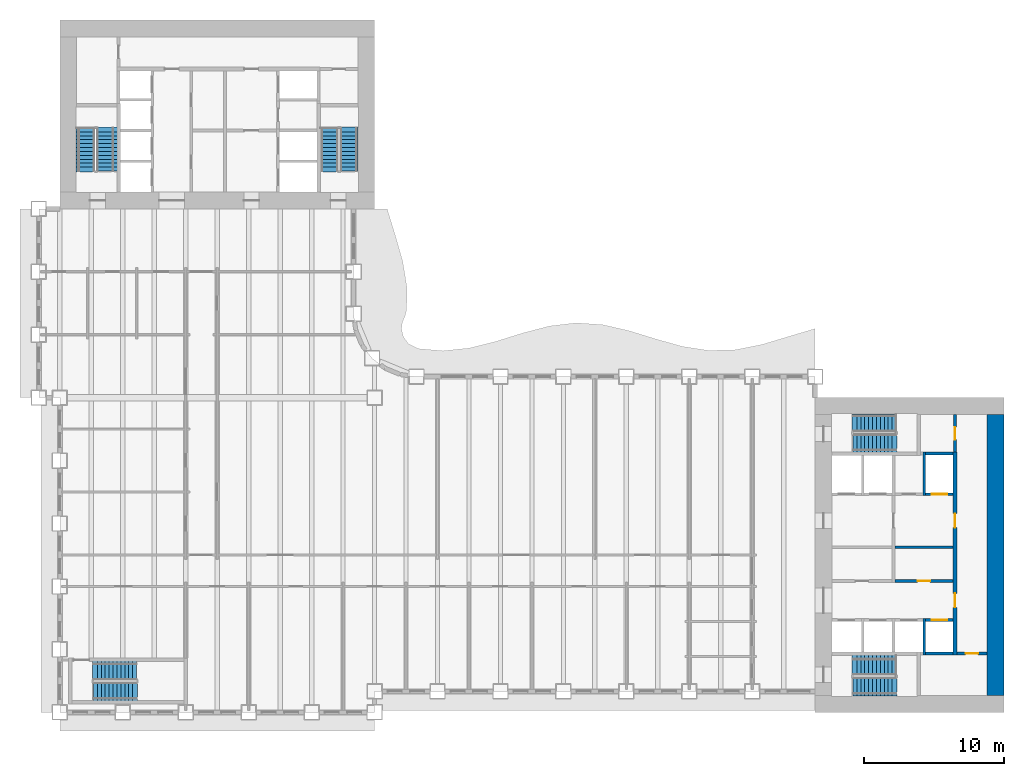
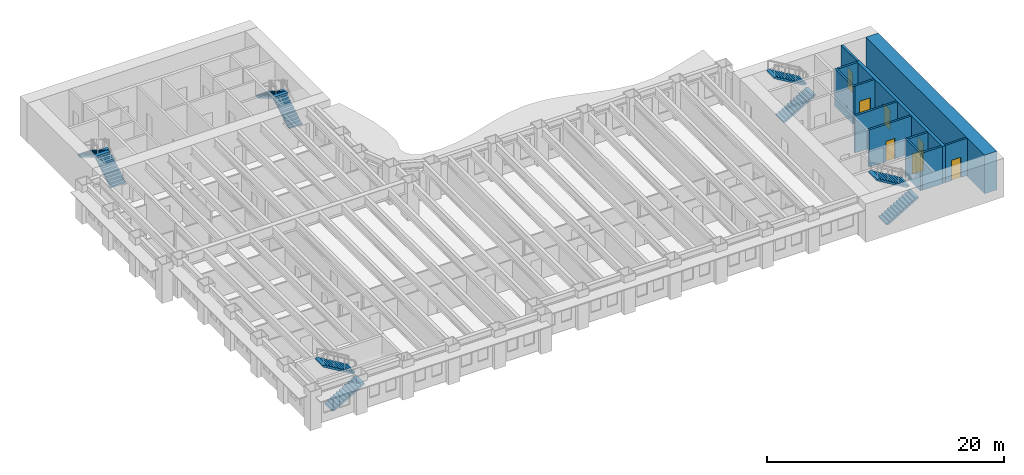
# One storey, part 9 of 15: 12 walls, 10 stair flights, 7 doors, 7 openings, 5 elements without a shape of their own.
"""IFC4 building model written with IfcOpenShell, lengths in metres."""

from ifc_helpers import new_model, si_unit, direction, frame, frame_2d, origin, place, context, subcontext, project, spatial, polyline, rectangle, outline, extrude, material, layer, layer_set, type_object, element, fill, aggregate, save


model = new_model("IFC4")

# Units and contexts
model_context = context("Model", 3, precision=1e-05, world=origin(), true_north=direction((0.0, 1.0)))
body_context = subcontext(model_context, "Body", "Model", "MODEL_VIEW")
ifc_project = project(units=[si_unit("LENGTHUNIT", "METRE"), si_unit("AREAUNIT", "SQUARE_METRE"), si_unit("VOLUMEUNIT", "CUBIC_METRE"), si_unit("PLANEANGLEUNIT", "RADIAN"), si_unit("MASSUNIT", "GRAM", prefix="KILO")], contexts=[model_context])

# Site, building, storey
site_placement = place(None, origin())
site = spatial("IfcSite", under=ifc_project, at=site_placement, CompositionType="ELEMENT")
building_placement = place(site_placement, origin())
building = spatial("IfcBuilding", under=site, at=building_placement, Name="Sennacour Bend Tower", CompositionType="ELEMENT")
storey_placement = place(building_placement, frame((0.0, 0.0, 37.0)))
storey = spatial("IfcBuildingStorey", under=building, at=storey_placement, Name="L07", CompositionType="ELEMENT", Elevation=37.0)

# Wall
ifc_material_1 = material(Name="Concrete C80/95", Category="concrete")
ifc_layer_1 = layer(ifc_material_1, 1.199951171875, Name="Concrete C80/95", Category="concrete")
ifc_layer_set_1 = layer_set([ifc_layer_1], Name="Concrete C80/95")
wall_type_1 = type_object("IfcWallType", Name="Core wall 1200 C80/95", PredefinedType="SHEAR", material=ifc_layer_set_1)
wall_1_placement = place(storey_placement, frame((66.89990234375, 1.199951171875, -0.14990234375), z_axis=(0.0, 0.0, 1.0), x_axis=(0.0, 1.0, 0.0)))
element("IfcWall", 1, at=wall_1_placement, inside=storey, type_object=wall_type_1, Name="Core A wall L07 E", PredefinedType="SHEAR", context=body_context, shape_type="SweptSolid", body=[
    extrude(rectangle(XDim=20.10009765625, YDim=1.199951171875, at=frame_2d((10.050048828125, 0.0))), origin(), (0.0, 0.0, 1.0), 4.0),
])

# Wall, opening, door
ifc_material_2 = material(Name="Fire-rated plasterboard partition on steel studs", Category="steel")
ifc_layer_2 = layer(ifc_material_2, 0.199951171875, Name="Fire-rated plasterboard partition on steel studs", Category="steel")
ifc_layer_set_2 = layer_set([ifc_layer_2], Name="Fire-rated plasterboard partition on steel studs")
wall_type_2 = type_object("IfcWallType", Name="Rated partition 200", PredefinedType="PARTITIONING", material=ifc_layer_set_2)
wall_2_placement = place(storey_placement, frame((64.0, 18.60009765625, 0.0), z_axis=(0.0, 0.0, 1.0), x_axis=(0.0, 1.0, 0.0)))
wall_2 = element("IfcWall", 2, at=wall_2_placement, inside=storey, type_object=wall_type_2, Name="P-L07-W046", PredefinedType="PARTITIONING", context=body_context, shape_type="SweptSolid", body=[
    extrude(rectangle(XDim=2.699951171875, YDim=0.199951171875, at=frame_2d((1.35009765625, 0.0))), origin(), (0.0, 0.0, 1.0), 3.85009765625),
])
opening_1_placement = place(wall_2_placement, frame((0.89990234375, 0.0, 0.0)))
opening_1 = element("IfcOpeningElement", 3, at=opening_1_placement, cuts=wall_2, Name="Opening SV", PredefinedType="OPENING", context=body_context, shape_type="SweptSolid", body=[
    extrude(rectangle(XDim=0.89990234375, YDim=2.10009765625, at=frame_2d((0.449951171875, 1.050048828125))), frame((0.0, 0.10986328125, 0.0), z_axis=(0.0, -1.0, 0.0), x_axis=(1.0, 0.0, 0.0)), (0.0, 0.0, 1.0), 0.219970703125),
])
ifc_material_3 = material(Name="Painted steel", Category="steel")
door_type_1 = type_object("IfcDoorType", Name="DR-SERVICE-900", OperationType="NOTDEFINED", PredefinedType="DOOR", material=ifc_material_3)
door_1_placement = place(opening_1_placement, origin())
door_1 = element("IfcDoor", 4, at=door_1_placement, inside=storey, type_object=door_type_1, Name="Door", OperationType="SINGLE_SWING_LEFT", OverallHeight=2.10009765625, OverallWidth=0.89990234375, PredefinedType="DOOR", context=body_context, shape_type="SweptSolid", body=[
    extrude(rectangle(XDim=0.89990234375, YDim=2.10009765625, at=frame_2d((0.449951171875, 1.050048828125))), frame((0.0, 0.02490234375, 0.0), z_axis=(0.0, -1.0, 0.0), x_axis=(1.0, 0.0, 0.0)), (0.0, 0.0, 1.0), 0.050048828125),
])
fill(opening_1, door_1)

wall_3_placement = place(storey_placement, frame((64.14990234375, 4.199951171875, 0.0), z_axis=(0.0, 0.0, 1.0), x_axis=(1.0, 0.0, 0.0)))
wall_3 = element("IfcWall", 5, at=wall_3_placement, inside=storey, type_object=wall_type_2, Name="P-L07-W055", PredefinedType="PARTITIONING", context=body_context, shape_type="SweptSolid", body=[
    extrude(rectangle(XDim=2.150146484375, YDim=0.199951171875, at=frame_2d((1.0751953125, 0.0))), origin(), (0.0, 0.0, 1.0), 3.85009765625),
])
opening_2_placement = place(wall_3_placement, frame((0.60009765625, 0.0, 0.0)))
opening_2 = element("IfcOpeningElement", 6, at=opening_2_placement, cuts=wall_3, Name="Opening SV", PredefinedType="OPENING", context=body_context, shape_type="SweptSolid", body=[
    extrude(rectangle(XDim=0.89990234375, YDim=2.10009765625, at=frame_2d((0.449951171875, 1.050048828125))), frame((0.0, 0.10986328125, 0.0), z_axis=(0.0, -1.0, 0.0), x_axis=(1.0, 0.0, 0.0)), (0.0, 0.0, 1.0), 0.219970703125),
])
door_2_placement = place(opening_2_placement, origin())
door_2 = element("IfcDoor", 7, at=door_2_placement, inside=storey, type_object=door_type_1, Name="Door", OperationType="SINGLE_SWING_LEFT", OverallHeight=2.10009765625, OverallWidth=0.89990234375, PredefinedType="DOOR", context=body_context, shape_type="SweptSolid", body=[
    extrude(rectangle(XDim=0.89990234375, YDim=2.10009765625, at=frame_2d((0.449951171875, 1.050048828125))), frame((0.0, 0.02490234375, 0.0), z_axis=(0.0, -1.0, 0.0), x_axis=(1.0, 0.0, 0.0)), (0.0, 0.0, 1.0), 0.050048828125),
])
fill(opening_2, door_2)

wall_4_placement = place(storey_placement, frame((59.699951171875, 9.39990234375, 0.0), z_axis=(0.0, 0.0, 1.0), x_axis=(1.0, 0.0, 0.0)))
wall_4 = element("IfcWall", 8, at=wall_4_placement, inside=storey, type_object=wall_type_2, Name="P-L07-W059b", PredefinedType="PARTITIONING", context=body_context, shape_type="SweptSolid", body=[
    extrude(rectangle(XDim=4.150146484375, YDim=0.199951171875, at=frame_2d((2.0751953125, 0.0))), origin(), (0.0, 0.0, 1.0), 3.85009765625),
])
opening_3_placement = place(wall_4_placement, frame((1.625, 0.0, 0.0)))
opening_3 = element("IfcOpeningElement", 9, at=opening_3_placement, cuts=wall_4, Name="Opening SV", PredefinedType="OPENING", context=body_context, shape_type="SweptSolid", body=[
    extrude(rectangle(XDim=0.89990234375, YDim=2.10009765625, at=frame_2d((0.449951171875, 1.050048828125))), frame((0.0, 0.10986328125, 0.0), z_axis=(0.0, -1.0, 0.0), x_axis=(1.0, 0.0, 0.0)), (0.0, 0.0, 1.0), 0.219970703125),
])
door_3_placement = place(opening_3_placement, origin())
door_3 = element("IfcDoor", 10, at=door_3_placement, inside=storey, type_object=door_type_1, Name="Door", OperationType="SINGLE_SWING_LEFT", OverallHeight=2.10009765625, OverallWidth=0.89990234375, PredefinedType="DOOR", context=body_context, shape_type="SweptSolid", body=[
    extrude(rectangle(XDim=0.89990234375, YDim=2.10009765625, at=frame_2d((0.449951171875, 1.050048828125))), frame((0.0, 0.02490234375, 0.0), z_axis=(0.0, -1.0, 0.0), x_axis=(1.0, 0.0, 0.0)), (0.0, 0.0, 1.0), 0.050048828125),
])
fill(opening_3, door_3)

# Walls
wall_5_placement = place(storey_placement, frame((59.699951171875, 11.800048828125, 0.0), z_axis=(0.0, 0.0, 1.0), x_axis=(1.0, 0.0, 0.0)))
element("IfcWall", 11, at=wall_5_placement, inside=storey, type_object=wall_type_2, Name="P-L07-W061b", PredefinedType="PARTITIONING", context=body_context, shape_type="SweptSolid", body=[
    extrude(rectangle(XDim=4.150146484375, YDim=0.199951171875, at=frame_2d((2.0751953125, 0.0))), origin(), (0.0, 0.0, 1.0), 3.85009765625),
])
ifc_material_4 = material(Name="Concrete C50/60", Category="concrete")
ifc_layer_3 = layer(ifc_material_4, 0.199951171875, Name="Concrete C50/60", Category="concrete")
ifc_layer_set_3 = layer_set([ifc_layer_3], Name="Concrete C50/60")
wall_type_3 = type_object("IfcWallType", Name="Shaft wall 200", PredefinedType="SOLIDWALL", material=ifc_layer_set_3)
wall_6_placement = place(storey_placement, frame((61.800048828125, 4.10009765625, 0.0), z_axis=(0.0, 0.0, 1.0), x_axis=(0.0, 1.0, 0.0)))
element("IfcWall", 12, at=wall_6_placement, inside=storey, type_object=wall_type_3, Name="P-L07-W043", PredefinedType="SOLIDWALL", context=body_context, shape_type="SweptSolid", body=[
    extrude(rectangle(XDim=2.599853515625, YDim=0.199951171875, at=frame_2d((1.2998046875, 0.0))), origin(), (0.0, 0.0, 1.0), 3.85009765625),
])
wall_7_placement = place(storey_placement, frame((61.800048828125, 15.5, 0.0), z_axis=(0.0, 0.0, 1.0), x_axis=(0.0, 1.0, 0.0)))
element("IfcWall", 13, at=wall_7_placement, inside=storey, type_object=wall_type_3, Name="P-L07-W044", PredefinedType="SOLIDWALL", context=body_context, shape_type="SweptSolid", body=[
    extrude(rectangle(XDim=3.10009765625, YDim=0.199951171875, at=frame_2d((1.550048828125, 0.0))), origin(), (0.0, 0.0, 1.0), 3.85009765625),
])
wall_8_placement = place(storey_placement, frame((61.89990234375, 4.199951171875, 0.0), z_axis=(0.0, 0.0, 1.0), x_axis=(1.0, 0.0, 0.0)))
element("IfcWall", 14, at=wall_8_placement, inside=storey, type_object=wall_type_3, Name="P-L07-W054b", PredefinedType="SOLIDWALL", context=body_context, shape_type="SweptSolid", body=[
    extrude(rectangle(XDim=1.9501953125, YDim=0.199951171875, at=frame_2d((0.97509765625, 0.0))), origin(), (0.0, 0.0, 1.0), 3.85009765625),
])

# Wall, opening, door
wall_9_placement = place(storey_placement, frame((61.89990234375, 6.60009765625, 0.0), z_axis=(0.0, 0.0, 1.0), x_axis=(1.0, 0.0, 0.0)))
wall_9 = element("IfcWall", 15, at=wall_9_placement, inside=storey, type_object=wall_type_3, Name="P-L07-W057d", PredefinedType="SOLIDWALL", context=body_context, shape_type="SweptSolid", body=[
    extrude(rectangle(XDim=1.9501953125, YDim=0.199951171875, at=frame_2d((0.97509765625, 0.0))), origin(), (0.0, 0.0, 1.0), 3.85009765625),
])
opening_4_placement = place(wall_9_placement, frame((0.425048828125, 0.0, 0.011962890625)))
opening_4 = element("IfcOpeningElement", 16, at=opening_4_placement, cuts=wall_9, Name="Opening LD", PredefinedType="OPENING", context=body_context, shape_type="SweptSolid", body=[
    extrude(rectangle(XDim=1.10009765625, YDim=2.10009765625, at=frame_2d((0.550048828125, 1.050048828125))), frame((0.0, 0.10986328125, 0.0), z_axis=(0.0, -1.0, 0.0), x_axis=(1.0, 0.0, 0.0)), (0.0, 0.0, 1.0), 0.219970703125),
])
ifc_material_5 = material(Name="Stainless steel", Category="steel")
door_type_2 = type_object("IfcDoorType", Name="DR-LANDING-1100", OperationType="NOTDEFINED", PredefinedType="DOOR", material=ifc_material_5)
door_4_placement = place(opening_4_placement, origin())
door_4 = element("IfcDoor", 17, at=door_4_placement, inside=storey, type_object=door_type_2, Name="Lift landing door LA4", OperationType="SLIDING_TO_RIGHT", OverallHeight=2.10009765625, OverallWidth=1.10009765625, PredefinedType="DOOR", context=body_context, shape_type="SweptSolid", body=[
    extrude(rectangle(XDim=1.10009765625, YDim=2.10009765625, at=frame_2d((0.550048828125, 1.050048828125))), frame((0.0, 0.02490234375, 0.0), z_axis=(0.0, -1.0, 0.0), x_axis=(1.0, 0.0, 0.0)), (0.0, 0.0, 1.0), 0.050048828125),
])
fill(opening_4, door_4)

wall_10_placement = place(storey_placement, frame((61.89990234375, 15.60009765625, 0.0), z_axis=(0.0, 0.0, 1.0), x_axis=(1.0, 0.0, 0.0)))
wall_10 = element("IfcWall", 18, at=wall_10_placement, inside=storey, type_object=wall_type_3, Name="P-L07-W064", PredefinedType="SOLIDWALL", context=body_context, shape_type="SweptSolid", body=[
    extrude(rectangle(XDim=1.9501953125, YDim=0.199951171875, at=frame_2d((0.97509765625, 0.0))), origin(), (0.0, 0.0, 1.0), 3.85009765625),
])
opening_5_placement = place(wall_10_placement, frame((0.425048828125, 0.0, 0.011962890625)))
opening_5 = element("IfcOpeningElement", 19, at=opening_5_placement, cuts=wall_10, Name="Opening LD", PredefinedType="OPENING", context=body_context, shape_type="SweptSolid", body=[
    extrude(rectangle(XDim=1.10009765625, YDim=2.10009765625, at=frame_2d((0.550048828125, 1.050048828125))), frame((0.0, 0.10986328125, 0.0), z_axis=(0.0, -1.0, 0.0), x_axis=(1.0, 0.0, 0.0)), (0.0, 0.0, 1.0), 0.219970703125),
])
door_5_placement = place(opening_5_placement, origin())
door_5 = element("IfcDoor", 20, at=door_5_placement, inside=storey, type_object=door_type_2, Name="Lift landing door LA5", OperationType="SLIDING_TO_LEFT", OverallHeight=2.10009765625, OverallWidth=1.10009765625, PredefinedType="DOOR", context=body_context, shape_type="SweptSolid", body=[
    extrude(rectangle(XDim=1.10009765625, YDim=2.10009765625, at=frame_2d((0.550048828125, 1.050048828125))), frame((0.0, 0.02490234375, 0.0), z_axis=(0.0, -1.0, 0.0), x_axis=(1.0, 0.0, 0.0)), (0.0, 0.0, 1.0), 0.050048828125),
])
fill(opening_5, door_5)

# Wall
wall_11_placement = place(storey_placement, frame((61.89990234375, 18.5, 0.0), z_axis=(0.0, 0.0, 1.0), x_axis=(1.0, 0.0, 0.0)))
element("IfcWall", 21, at=wall_11_placement, inside=storey, type_object=wall_type_3, Name="P-L07-W068", PredefinedType="SOLIDWALL", context=body_context, shape_type="SweptSolid", body=[
    extrude(rectangle(XDim=1.9501953125, YDim=0.199951171875, at=frame_2d((0.97509765625, 0.0))), origin(), (0.0, 0.0, 1.0), 3.85009765625),
])

# Wall, openings, doors
ifc_material_6 = material(Name="Concrete C60/75", Category="concrete")
ifc_layer_4 = layer(ifc_material_6, 0.300048828125, Name="Concrete C60/75", Category="concrete")
ifc_layer_set_4 = layer_set([ifc_layer_4], Name="Concrete C60/75")
wall_type_4 = type_object("IfcWallType", Name="Spine wall 300", PredefinedType="SHEAR", material=ifc_layer_set_4)
wall_12_placement = place(storey_placement, frame((64.0, 4.10009765625, 0.0), z_axis=(0.0, 0.0, 1.0), x_axis=(0.0, 1.0, 0.0)))
wall_12 = element("IfcWall", 22, at=wall_12_placement, inside=storey, type_object=wall_type_4, Name="P-L07-W045", PredefinedType="SHEAR", context=body_context, shape_type="SweptSolid", body=[
    extrude(rectangle(XDim=14.5, YDim=0.300048828125, at=frame_2d((7.25, 0.0))), origin(), (0.0, 0.0, 1.0), 3.85009765625),
])
opening_6_placement = place(wall_12_placement, frame((3.39990234375, 0.0, 0.0)))
opening_6 = element("IfcOpeningElement", 23, at=opening_6_placement, cuts=wall_12, Name="Opening CD2", PredefinedType="OPENING", context=body_context, shape_type="SweptSolid", body=[
    extrude(rectangle(XDim=1.0, YDim=2.10009765625, at=frame_2d((0.5, 1.050048828125))), frame((0.0, 0.16015625, 0.0), z_axis=(0.0, -1.0, 0.0), x_axis=(1.0, 0.0, 0.0)), (0.0, 0.0, 1.0), 0.320068359375),
])
opening_7_placement = place(wall_12_placement, frame((9.099853515625, 0.0, 0.0)))
opening_7 = element("IfcOpeningElement", 24, at=opening_7_placement, cuts=wall_12, Name="Opening CD2", PredefinedType="OPENING", context=body_context, shape_type="SweptSolid", body=[
    extrude(rectangle(XDim=1.0, YDim=2.10009765625, at=frame_2d((0.5, 1.050048828125))), frame((0.0, 0.16015625, 0.0), z_axis=(0.0, -1.0, 0.0), x_axis=(1.0, 0.0, 0.0)), (0.0, 0.0, 1.0), 0.320068359375),
])
door_type_3 = type_object("IfcDoorType", Name="DR-LOBBY-1000", OperationType="NOTDEFINED", PredefinedType="DOOR", material=ifc_material_3)
door_6_placement = place(opening_6_placement, origin())
door_6 = element("IfcDoor", 25, at=door_6_placement, inside=storey, type_object=door_type_3, Name="Door", OperationType="SINGLE_SWING_LEFT", OverallHeight=2.10009765625, OverallWidth=1.0, PredefinedType="DOOR", context=body_context, shape_type="SweptSolid", body=[
    extrude(rectangle(XDim=1.0, YDim=2.10009765625, at=frame_2d((0.5, 1.050048828125))), frame((0.0, 0.02490234375, 0.0), z_axis=(0.0, -1.0, 0.0), x_axis=(1.0, 0.0, 0.0)), (0.0, 0.0, 1.0), 0.050048828125),
])
fill(opening_6, door_6)
door_7_placement = place(opening_7_placement, origin())
door_7 = element("IfcDoor", 26, at=door_7_placement, inside=storey, type_object=door_type_3, Name="Door", OperationType="SINGLE_SWING_RIGHT", OverallHeight=2.10009765625, OverallWidth=1.0, PredefinedType="DOOR", context=body_context, shape_type="SweptSolid", body=[
    extrude(rectangle(XDim=1.0, YDim=2.10009765625, at=frame_2d((0.5, 1.050048828125))), frame((0.0, 0.02490234375, 0.0), z_axis=(0.0, -1.0, 0.0), x_axis=(1.0, 0.0, 0.0)), (0.0, 0.0, 1.0), 0.050048828125),
])
fill(opening_7, door_7)

# Stair, stair flights
ifc_material_7 = material(Name="Concrete C40/50", Category="concrete")
stair_type = type_object("IfcStairType", Name="ST-DOGLEG", PredefinedType="HALF_TURN_STAIR", material=ifc_material_7)
stair_1_placement = place(storey_placement, origin())
stair_1 = element("IfcStair", 27, at=stair_1_placement, inside=storey, type_object=stair_type, Name="L07 Exit stair A1", PredefinedType="HALF_TURN_STAIR")
stair_flight_type = type_object("IfcStairFlightType", Name="SFL-RC", PredefinedType="STRAIGHT", material=ifc_material_7)
stair_flight_1_placement = place(storey_placement, frame((56.699951171875, 1.8349609375, 0.0), z_axis=(0.0, 0.0, 1.0), x_axis=(1.0, 0.0, 0.0)))
stair_flight_1 = element("IfcStairFlight", 28, at=stair_flight_1_placement, type_object=stair_flight_type, Name="SA1 flight 1", NumberOfRisers=12, NumberOfTreads=11, PredefinedType="STRAIGHT", RiserHeight=0.166666667, TreadLength=0.28, context=body_context, shape_type="SweptSolid", body=[
    extrude(outline(polyline([(0.0, 0.0), (0.0, 0.166748046875), (0.280029296875, 0.166748046875), (0.280029296875, 0.333251953125), (0.56005859375, 0.333251953125), (0.56005859375, 0.5), (0.840087890625, 0.5), (0.840087890625, 0.666748046875), (1.1201171875, 0.666748046875), (1.1201171875, 0.833251953125), (1.39990234375, 0.833251953125), (1.39990234375, 1.0), (1.679931640625, 1.0), (1.679931640625, 1.166748046875), (1.9599609375, 1.166748046875), (1.9599609375, 1.333251953125), (2.239990234375, 1.333251953125), (2.239990234375, 1.5), (2.52001953125, 1.5), (2.52001953125, 1.666748046875), (2.800048828125, 1.666748046875), (2.800048828125, 1.833251953125), (3.080078125, 1.833251953125), (3.139892578125, 1.833251953125), (3.139892578125, 1.658935546875), (3.080078125, 1.658935546875), (0.29296875, 0.0), (0.0, 0.0)])), frame((0.0, 0.6650390625, 0.0), z_axis=(0.0, -1.0, 0.0), x_axis=(1.0, 0.0, 0.0)), (0.0, 0.0, 1.0), 1.330078125),
])
stair_flight_2_placement = place(storey_placement, frame((59.780029296875, 3.37744140625, 2.0), z_axis=(0.0, 0.0, 1.0), x_axis=(-1.0, 0.0, 0.0)))
stair_flight_2 = element("IfcStairFlight", 29, at=stair_flight_2_placement, type_object=stair_flight_type, Name="SA1 flight 2", NumberOfRisers=12, NumberOfTreads=11, PredefinedType="STRAIGHT", RiserHeight=0.166666667, TreadLength=0.28, context=body_context, shape_type="SweptSolid", body=[
    extrude(outline(polyline([(0.0, 0.0), (0.0, 0.166748046875), (0.280029296875, 0.166748046875), (0.280029296875, 0.333251953125), (0.56005859375, 0.333251953125), (0.56005859375, 0.5), (0.840087890625, 0.5), (0.840087890625, 0.666748046875), (1.1201171875, 0.666748046875), (1.1201171875, 0.833251953125), (1.39990234375, 0.833251953125), (1.39990234375, 1.0), (1.679931640625, 1.0), (1.679931640625, 1.166748046875), (1.9599609375, 1.166748046875), (1.9599609375, 1.333251953125), (2.239990234375, 1.333251953125), (2.239990234375, 1.5), (2.52001953125, 1.5), (2.52001953125, 1.666748046875), (2.800048828125, 1.666748046875), (2.800048828125, 1.833251953125), (3.080078125, 1.833251953125), (3.139892578125, 1.833251953125), (3.139892578125, 1.658935546875), (3.080078125, 1.658935546875), (0.29296875, 0.0), (0.0, 0.0)])), frame((0.0, 0.7275390625, 0.0), z_axis=(0.0, -1.0, 0.0), x_axis=(1.0, 0.0, 0.0)), (0.0, 0.0, 1.0), 1.455078125),
])
aggregate(stair_1, [stair_flight_1, stair_flight_2])

stair_2_placement = place(storey_placement, origin())
stair_2 = element("IfcStair", 30, at=stair_2_placement, inside=storey, type_object=stair_type, Name="L07 Exit stair A2", PredefinedType="HALF_TURN_STAIR")
stair_flight_3_placement = place(storey_placement, frame((56.699951171875, 19.24755859375, 0.0), z_axis=(0.0, 0.0, 1.0), x_axis=(1.0, 0.0, 0.0)))
stair_flight_3 = element("IfcStairFlight", 31, at=stair_flight_3_placement, type_object=stair_flight_type, Name="SA2 flight 1", NumberOfRisers=12, NumberOfTreads=11, PredefinedType="STRAIGHT", RiserHeight=0.166666667, TreadLength=0.28, context=body_context, shape_type="SweptSolid", body=[
    extrude(outline(polyline([(0.0, 0.0), (0.0, 0.166748046875), (0.280029296875, 0.166748046875), (0.280029296875, 0.333251953125), (0.56005859375, 0.333251953125), (0.56005859375, 0.5), (0.840087890625, 0.5), (0.840087890625, 0.666748046875), (1.1201171875, 0.666748046875), (1.1201171875, 0.833251953125), (1.39990234375, 0.833251953125), (1.39990234375, 1.0), (1.679931640625, 1.0), (1.679931640625, 1.166748046875), (1.9599609375, 1.166748046875), (1.9599609375, 1.333251953125), (2.239990234375, 1.333251953125), (2.239990234375, 1.5), (2.52001953125, 1.5), (2.52001953125, 1.666748046875), (2.800048828125, 1.666748046875), (2.800048828125, 1.833251953125), (3.080078125, 1.833251953125), (3.139892578125, 1.833251953125), (3.139892578125, 1.658935546875), (3.080078125, 1.658935546875), (0.29296875, 0.0), (0.0, 0.0)])), frame((0.0, 0.65234375, 0.0), z_axis=(0.0, -1.0, 0.0), x_axis=(1.0, 0.0, 0.0)), (0.0, 0.0, 1.0), 1.304931640625),
])
stair_flight_4_placement = place(storey_placement, frame((59.780029296875, 20.68994140625, 2.0), z_axis=(0.0, 0.0, 1.0), x_axis=(-1.0, 0.0, 0.0)))
stair_flight_4 = element("IfcStairFlight", 32, at=stair_flight_4_placement, type_object=stair_flight_type, Name="SA2 flight 2", NumberOfRisers=12, NumberOfTreads=11, PredefinedType="STRAIGHT", RiserHeight=0.166666667, TreadLength=0.28, context=body_context, shape_type="SweptSolid", body=[
    extrude(outline(polyline([(0.0, 0.0), (0.0, 0.166748046875), (0.280029296875, 0.166748046875), (0.280029296875, 0.333251953125), (0.56005859375, 0.333251953125), (0.56005859375, 0.5), (0.840087890625, 0.5), (0.840087890625, 0.666748046875), (1.1201171875, 0.666748046875), (1.1201171875, 0.833251953125), (1.39990234375, 0.833251953125), (1.39990234375, 1.0), (1.679931640625, 1.0), (1.679931640625, 1.166748046875), (1.9599609375, 1.166748046875), (1.9599609375, 1.333251953125), (2.239990234375, 1.333251953125), (2.239990234375, 1.5), (2.52001953125, 1.5), (2.52001953125, 1.666748046875), (2.800048828125, 1.666748046875), (2.800048828125, 1.833251953125), (3.080078125, 1.833251953125), (3.139892578125, 1.833251953125), (3.139892578125, 1.658935546875), (3.080078125, 1.658935546875), (0.29296875, 0.0), (0.0, 0.0)])), frame((0.0, 0.64013671875, 0.0), z_axis=(0.0, -1.0, 0.0), x_axis=(1.0, 0.0, 0.0)), (0.0, 0.0, 1.0), 1.280029296875),
])
aggregate(stair_2, [stair_flight_3, stair_flight_4])

stair_3_placement = place(storey_placement, origin())
stair_3 = element("IfcStair", 33, at=stair_3_placement, inside=storey, type_object=stair_type, Name="L07 Exit stair B1", PredefinedType="HALF_TURN_STAIR")
stair_flight_5_placement = place(storey_placement, frame((3.37744140625, 38.699951171875, 0.0), z_axis=(0.0, 0.0, 1.0), x_axis=(0.0, 1.0, 0.0)))
stair_flight_5 = element("IfcStairFlight", 34, at=stair_flight_5_placement, type_object=stair_flight_type, Name="SB1 flight 1", NumberOfRisers=12, NumberOfTreads=11, PredefinedType="STRAIGHT", RiserHeight=0.166666667, TreadLength=0.28, context=body_context, shape_type="SweptSolid", body=[
    extrude(outline(polyline([(0.0, 0.0), (0.0, 0.166748046875), (0.280029296875, 0.166748046875), (0.280029296875, 0.333251953125), (0.56005859375, 0.333251953125), (0.56005859375, 0.5), (0.840087890625, 0.5), (0.840087890625, 0.666748046875), (1.1201171875, 0.666748046875), (1.1201171875, 0.833251953125), (1.39990234375, 0.833251953125), (1.39990234375, 1.0), (1.679931640625, 1.0), (1.679931640625, 1.166748046875), (1.9599609375, 1.166748046875), (1.9599609375, 1.333251953125), (2.239990234375, 1.333251953125), (2.239990234375, 1.5), (2.52001953125, 1.5), (2.52001953125, 1.666748046875), (2.800048828125, 1.666748046875), (2.800048828125, 1.833251953125), (3.080078125, 1.833251953125), (3.139892578125, 1.833251953125), (3.139892578125, 1.658935546875), (3.080078125, 1.658935546875), (0.29296875, 0.0), (0.0, 0.0)])), frame((0.0, 0.7275390625, 0.0), z_axis=(0.0, -1.0, 0.0), x_axis=(1.0, 0.0, 0.0)), (0.0, 0.0, 1.0), 1.455078125),
])
stair_flight_6_placement = place(storey_placement, frame((1.8349609375, 41.780029296875, 2.0), z_axis=(0.0, 0.0, 1.0), x_axis=(0.0, -1.0, 0.0)))
stair_flight_6 = element("IfcStairFlight", 35, at=stair_flight_6_placement, type_object=stair_flight_type, Name="SB1 flight 2", NumberOfRisers=12, NumberOfTreads=11, PredefinedType="STRAIGHT", RiserHeight=0.166666667, TreadLength=0.28, context=body_context, shape_type="SweptSolid", body=[
    extrude(outline(polyline([(0.0, 0.0), (0.0, 0.166748046875), (0.280029296875, 0.166748046875), (0.280029296875, 0.333251953125), (0.56005859375, 0.333251953125), (0.56005859375, 0.5), (0.840087890625, 0.5), (0.840087890625, 0.666748046875), (1.1201171875, 0.666748046875), (1.1201171875, 0.833251953125), (1.39990234375, 0.833251953125), (1.39990234375, 1.0), (1.679931640625, 1.0), (1.679931640625, 1.166748046875), (1.9599609375, 1.166748046875), (1.9599609375, 1.333251953125), (2.239990234375, 1.333251953125), (2.239990234375, 1.5), (2.52001953125, 1.5), (2.52001953125, 1.666748046875), (2.800048828125, 1.666748046875), (2.800048828125, 1.833251953125), (3.080078125, 1.833251953125), (3.139892578125, 1.833251953125), (3.139892578125, 1.658935546875), (3.080078125, 1.658935546875), (0.29296875, 0.0), (0.0, 0.0)])), frame((0.0, 0.6650390625, 0.0), z_axis=(0.0, -1.0, 0.0), x_axis=(1.0, 0.0, 0.0)), (0.0, 0.0, 1.0), 1.330078125),
])
aggregate(stair_3, [stair_flight_5, stair_flight_6])

stair_4_placement = place(storey_placement, origin())
stair_4 = element("IfcStair", 36, at=stair_4_placement, inside=storey, type_object=stair_type, Name="L07 Exit stair B2", PredefinedType="HALF_TURN_STAIR")
stair_flight_7_placement = place(storey_placement, frame((20.68994140625, 38.699951171875, 0.0), z_axis=(0.0, 0.0, 1.0), x_axis=(0.0, 1.0, 0.0)))
stair_flight_7 = element("IfcStairFlight", 37, at=stair_flight_7_placement, type_object=stair_flight_type, Name="SB2 flight 1", NumberOfRisers=12, NumberOfTreads=11, PredefinedType="STRAIGHT", RiserHeight=0.166666667, TreadLength=0.28, context=body_context, shape_type="SweptSolid", body=[
    extrude(outline(polyline([(0.0, 0.0), (0.0, 0.166748046875), (0.280029296875, 0.166748046875), (0.280029296875, 0.333251953125), (0.56005859375, 0.333251953125), (0.56005859375, 0.5), (0.840087890625, 0.5), (0.840087890625, 0.666748046875), (1.1201171875, 0.666748046875), (1.1201171875, 0.833251953125), (1.39990234375, 0.833251953125), (1.39990234375, 1.0), (1.679931640625, 1.0), (1.679931640625, 1.166748046875), (1.9599609375, 1.166748046875), (1.9599609375, 1.333251953125), (2.239990234375, 1.333251953125), (2.239990234375, 1.5), (2.52001953125, 1.5), (2.52001953125, 1.666748046875), (2.800048828125, 1.666748046875), (2.800048828125, 1.833251953125), (3.080078125, 1.833251953125), (3.139892578125, 1.833251953125), (3.139892578125, 1.658935546875), (3.080078125, 1.658935546875), (0.29296875, 0.0), (0.0, 0.0)])), frame((0.0, 0.64013671875, 0.0), z_axis=(0.0, -1.0, 0.0), x_axis=(1.0, 0.0, 0.0)), (0.0, 0.0, 1.0), 1.280029296875),
])
stair_flight_8_placement = place(storey_placement, frame((19.24755859375, 41.780029296875, 2.0), z_axis=(0.0, 0.0, 1.0), x_axis=(0.0, -1.0, 0.0)))
stair_flight_8 = element("IfcStairFlight", 38, at=stair_flight_8_placement, type_object=stair_flight_type, Name="SB2 flight 2", NumberOfRisers=12, NumberOfTreads=11, PredefinedType="STRAIGHT", RiserHeight=0.166666667, TreadLength=0.28, context=body_context, shape_type="SweptSolid", body=[
    extrude(outline(polyline([(0.0, 0.0), (0.0, 0.166748046875), (0.280029296875, 0.166748046875), (0.280029296875, 0.333251953125), (0.56005859375, 0.333251953125), (0.56005859375, 0.5), (0.840087890625, 0.5), (0.840087890625, 0.666748046875), (1.1201171875, 0.666748046875), (1.1201171875, 0.833251953125), (1.39990234375, 0.833251953125), (1.39990234375, 1.0), (1.679931640625, 1.0), (1.679931640625, 1.166748046875), (1.9599609375, 1.166748046875), (1.9599609375, 1.333251953125), (2.239990234375, 1.333251953125), (2.239990234375, 1.5), (2.52001953125, 1.5), (2.52001953125, 1.666748046875), (2.800048828125, 1.666748046875), (2.800048828125, 1.833251953125), (3.080078125, 1.833251953125), (3.139892578125, 1.833251953125), (3.139892578125, 1.658935546875), (3.080078125, 1.658935546875), (0.29296875, 0.0), (0.0, 0.0)])), frame((0.0, 0.65234375, 0.0), z_axis=(0.0, -1.0, 0.0), x_axis=(1.0, 0.0, 0.0)), (0.0, 0.0, 1.0), 1.304931640625),
])
aggregate(stair_4, [stair_flight_7, stair_flight_8])

stair_5_placement = place(storey_placement, origin())
stair_5 = element("IfcStair", 39, at=stair_5_placement, inside=storey, type_object=stair_type, Name="L07 Exit stair K1", PredefinedType="HALF_TURN_STAIR")
stair_flight_9_placement = place(storey_placement, frame((2.39990234375, 1.485107421875, 0.0), z_axis=(0.0, 0.0, 1.0), x_axis=(1.0, 0.0, 0.0)))
stair_flight_9 = element("IfcStairFlight", 40, at=stair_flight_9_placement, type_object=stair_flight_type, Name="SK1 flight 1", NumberOfRisers=12, NumberOfTreads=11, PredefinedType="STRAIGHT", RiserHeight=0.166666667, TreadLength=0.28, context=body_context, shape_type="SweptSolid", body=[
    extrude(outline(polyline([(0.0, 0.0), (0.0, 0.166748046875), (0.280029296875, 0.166748046875), (0.280029296875, 0.333251953125), (0.56005859375, 0.333251953125), (0.56005859375, 0.5), (0.840087890625, 0.5), (0.840087890625, 0.666748046875), (1.1201171875, 0.666748046875), (1.1201171875, 0.833251953125), (1.39990234375, 0.833251953125), (1.39990234375, 1.0), (1.679931640625, 1.0), (1.679931640625, 1.166748046875), (1.9599609375, 1.166748046875), (1.9599609375, 1.333251953125), (2.239990234375, 1.333251953125), (2.239990234375, 1.5), (2.52001953125, 1.5), (2.52001953125, 1.666748046875), (2.800048828125, 1.666748046875), (2.800048828125, 1.833251953125), (3.080078125, 1.833251953125), (3.139892578125, 1.833251953125), (3.139892578125, 1.658935546875), (3.080078125, 1.658935546875), (0.29296875, 0.0), (0.0, 0.0)])), frame((0.0, 0.6650390625, 0.0), z_axis=(0.0, -1.0, 0.0), x_axis=(1.0, 0.0, 0.0)), (0.0, 0.0, 1.0), 1.330078125),
])
stair_flight_10_placement = place(storey_placement, frame((5.47998046875, 2.9775390625, 2.0), z_axis=(0.0, 0.0, 1.0), x_axis=(-1.0, 0.0, 0.0)))
stair_flight_10 = element("IfcStairFlight", 41, at=stair_flight_10_placement, type_object=stair_flight_type, Name="SK1 flight 2", NumberOfRisers=12, NumberOfTreads=11, PredefinedType="STRAIGHT", RiserHeight=0.166666667, TreadLength=0.28, context=body_context, shape_type="SweptSolid", body=[
    extrude(outline(polyline([(0.0, 0.0), (0.0, 0.166748046875), (0.280029296875, 0.166748046875), (0.280029296875, 0.333251953125), (0.56005859375, 0.333251953125), (0.56005859375, 0.5), (0.840087890625, 0.5), (0.840087890625, 0.666748046875), (1.1201171875, 0.666748046875), (1.1201171875, 0.833251953125), (1.39990234375, 0.833251953125), (1.39990234375, 1.0), (1.679931640625, 1.0), (1.679931640625, 1.166748046875), (1.9599609375, 1.166748046875), (1.9599609375, 1.333251953125), (2.239990234375, 1.333251953125), (2.239990234375, 1.5), (2.52001953125, 1.5), (2.52001953125, 1.666748046875), (2.800048828125, 1.666748046875), (2.800048828125, 1.833251953125), (3.080078125, 1.833251953125), (3.139892578125, 1.833251953125), (3.139892578125, 1.658935546875), (3.080078125, 1.658935546875), (0.29296875, 0.0), (0.0, 0.0)])), frame((0.0, 0.677490234375, 0.0), z_axis=(0.0, -1.0, 0.0), x_axis=(1.0, 0.0, 0.0)), (0.0, 0.0, 1.0), 1.35498046875),
])
aggregate(stair_5, [stair_flight_9, stair_flight_10])

save(model, "model.ifc")
